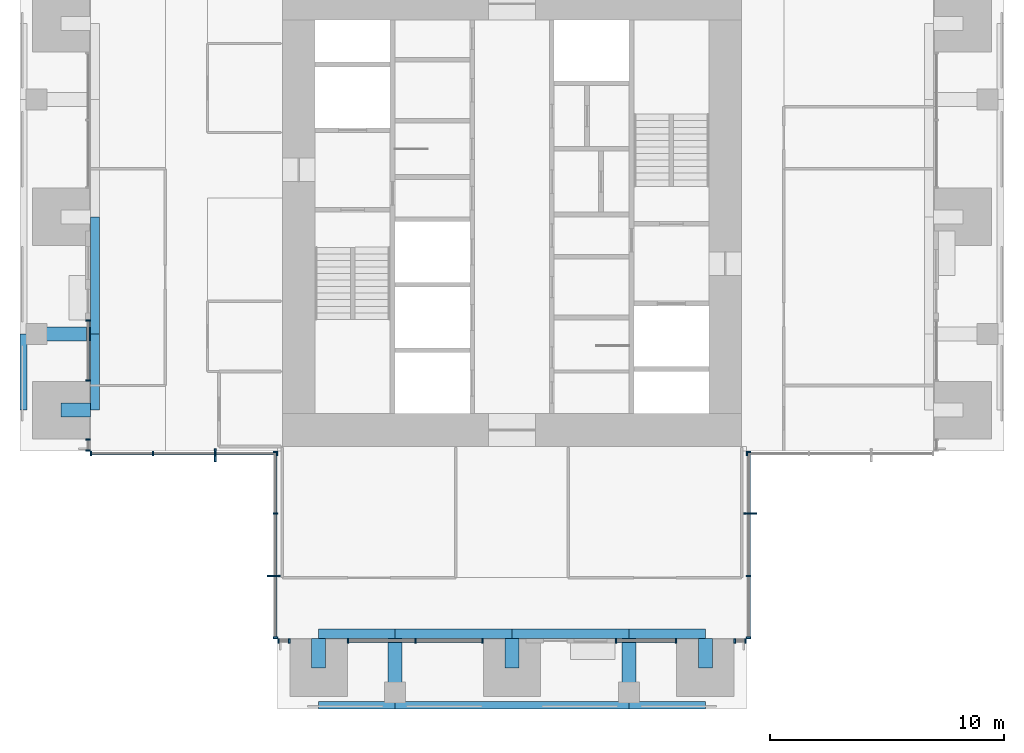
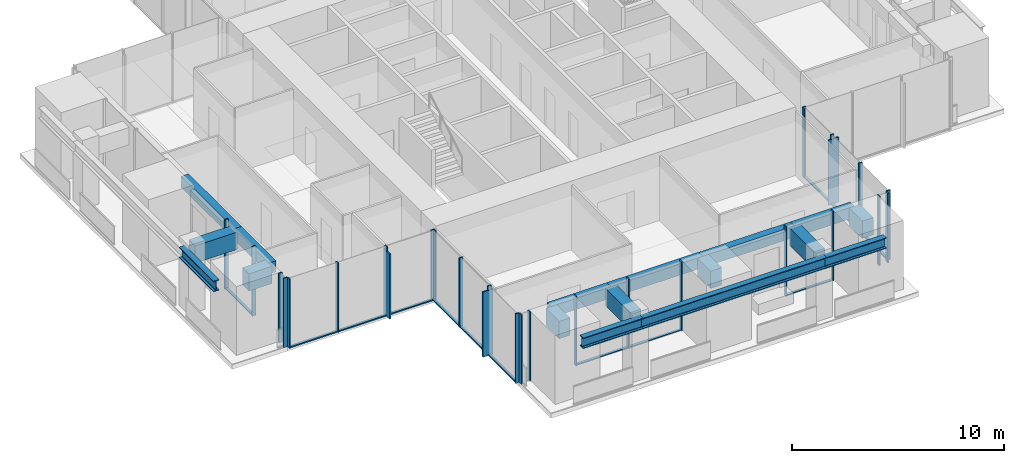
# One storey, part 2 of 17: 42 members, 17 beams, 10 elements without a shape of their own.
"""IFC4 building model written with IfcOpenShell, lengths in metres."""

from ifc_helpers import new_model, si_unit, direction, frame, origin, origin_2d, place, context, subcontext, project, spatial, rectangle, i_section, extrude, material, material_profile, profile_set, type_object, element, aggregate, save


model = new_model("IFC4")

# Units and contexts
model_context = context("Model", 3, precision=1e-05, world=origin(), true_north=direction((0.0, 1.0)))
body_context = subcontext(model_context, "Body", "Model", "MODEL_VIEW")
ifc_project = project(units=[si_unit("LENGTHUNIT", "METRE"), si_unit("AREAUNIT", "SQUARE_METRE"), si_unit("VOLUMEUNIT", "CUBIC_METRE"), si_unit("PLANEANGLEUNIT", "RADIAN"), si_unit("MASSUNIT", "GRAM", prefix="KILO")], contexts=[model_context])

# Site, building, storey
site_placement = place(None, origin())
site = spatial("IfcSite", under=ifc_project, at=site_placement, CompositionType="ELEMENT")
building_placement = place(site_placement, origin())
building = spatial("IfcBuilding", under=site, at=building_placement, Name="Svetlomir Tower", CompositionType="ELEMENT")
storey_placement = place(building_placement, frame((0.0, 0.0, 210.5)))
storey = spatial("IfcBuildingStorey", under=building, at=storey_placement, Name="L50", CompositionType="ELEMENT", Elevation=210.5)

# Curtain wall, member
ifc_material_1 = material(Name="Bronze anodised aluminium curtain wall", Category="aluminium")
curtain_wall_type = type_object("IfcCurtainWallType", Name="CURTAIN WALL CW1 TOWER OFFICE", PredefinedType="NOTDEFINED", material=ifc_material_1)
curtain_wall_1_placement = place(storey_placement, origin())
curtain_wall_1 = element("IfcCurtainWall", 1, at=curtain_wall_1_placement, inside=storey, type_object=curtain_wall_type, Name="Curtain wall CW1 L50", PredefinedType="NOTDEFINED")
ifc_material_2 = material(Name="Bronze anodised aluminium", Category="aluminium")
ifc_material_profile_1 = material_profile(ifc_material_2, rectangle(XDim=0.080078125, YDim=0.550048828125, at=origin_2d()), Name="FIN 80x550")
ifc_profile_set_1 = profile_set([ifc_material_profile_1], Name="Bronze anodised aluminium 6063-T6")
member_type_1 = type_object("IfcMemberType", Name="BRONZE FIN 80x550", PredefinedType="USERDEFINED", material=ifc_profile_set_1)
member_1_placement = place(storey_placement, frame((31.175048828125, 8.333251953125, 0.0), z_axis=(0.0, 0.0, 1.0), x_axis=(0.0, 1.0, 0.0)))
member_1 = element("IfcMember", 2, at=member_1_placement, type_object=member_type_1, Name="Bronze fin L50", ObjectType="FIN", PredefinedType="USERDEFINED", context=body_context, shape_type="SweptSolid", body=[
    extrude(rectangle(XDim=0.080078125, YDim=0.550048828125, at=origin_2d()), origin(), (0.0, 0.0, 1.0), 3.75),
])

curtain_wall_2_placement = place(storey_placement, origin())
curtain_wall_2 = element("IfcCurtainWall", 3, at=curtain_wall_2_placement, inside=storey, type_object=curtain_wall_type, Name="Curtain wall CW1 L50", PredefinedType="NOTDEFINED")
member_2_placement = place(storey_placement, frame((8.333251953125, 10.824951171875, 0.0), z_axis=(0.0, 0.0, 1.0), x_axis=(1.0, 0.0, 0.0)))
member_2 = element("IfcMember", 4, at=member_2_placement, type_object=member_type_1, Name="Bronze fin L50", ObjectType="FIN", PredefinedType="USERDEFINED", context=body_context, shape_type="SweptSolid", body=[
    extrude(rectangle(XDim=0.080078125, YDim=0.550048828125, at=origin_2d()), origin(), (0.0, 0.0, 1.0), 3.75),
])

curtain_wall_3_placement = place(storey_placement, origin())
curtain_wall_3 = element("IfcCurtainWall", 5, at=curtain_wall_3_placement, inside=storey, type_object=curtain_wall_type, Name="Curtain wall CW1 L50", PredefinedType="NOTDEFINED")
member_3_placement = place(storey_placement, frame((10.824951171875, 5.666748046875, 0.0), z_axis=(0.0, 0.0, 1.0), x_axis=(0.0, 1.0, 0.0)))
member_3 = element("IfcMember", 6, at=member_3_placement, type_object=member_type_1, Name="Bronze fin L50", ObjectType="FIN", PredefinedType="USERDEFINED", context=body_context, shape_type="SweptSolid", body=[
    extrude(rectangle(XDim=0.080078125, YDim=0.550048828125, at=origin_2d()), origin(), (0.0, 0.0, 1.0), 3.75),
])

# Curtain wall, members
curtain_wall_4_placement = place(storey_placement, origin())
curtain_wall_4 = element("IfcCurtainWall", 7, at=curtain_wall_4_placement, inside=storey, type_object=curtain_wall_type, Name="Curtain wall CW1 L50", PredefinedType="NOTDEFINED")
ifc_material_3 = material(Name="Bronze anodised aluminium", Category="aluminium")
ifc_material_profile_2 = material_profile(ifc_material_3, rectangle(XDim=0.06494140625, YDim=0.199951171875, at=origin_2d()), Name="AL 65x200")
ifc_profile_set_2 = profile_set([ifc_material_profile_2], Name="Bronze anodised aluminium 6063-T6")
member_type_2 = type_object("IfcMemberType", Name="CW1 MULLION 65x200", PredefinedType="MULLION", material=ifc_profile_set_2)
member_4_placement = place(storey_placement, frame((11.032470703125, 2.89990234375, 0.0), z_axis=(0.0, 0.0, 1.0), x_axis=(1.0, 0.0, 0.0)))
member_4 = element("IfcMember", 8, at=member_4_placement, type_object=member_type_2, Name="CW1 mullion 1", PredefinedType="MULLION", context=body_context, shape_type="SweptSolid", body=[
    extrude(rectangle(XDim=0.06494140625, YDim=0.199951171875, at=origin_2d()), origin(), (0.0, 0.0, 1.0), 4.0),
])
member_5_placement = place(storey_placement, frame((11.492431640625, 2.89990234375, 0.0), z_axis=(0.0, 0.0, 1.0), x_axis=(1.0, 0.0, 0.0)))
member_5 = element("IfcMember", 9, at=member_5_placement, type_object=member_type_2, Name="CW1 mullion 2", PredefinedType="MULLION", context=body_context, shape_type="SweptSolid", body=[
    extrude(rectangle(XDim=0.06494140625, YDim=0.199951171875, at=origin_2d()), origin(), (0.0, 0.0, 1.0), 4.0),
])
aggregate(curtain_wall_4, [member_4, member_5])

curtain_wall_5_placement = place(storey_placement, origin())
curtain_wall_5 = element("IfcCurtainWall", 10, at=curtain_wall_5_placement, inside=storey, type_object=curtain_wall_type, Name="Curtain wall CW1 L50", PredefinedType="NOTDEFINED")
member_6_placement = place(storey_placement, frame((14.007568359375, 2.89990234375, 0.0), z_axis=(0.0, 0.0, 1.0), x_axis=(1.0, 0.0, 0.0)))
member_6 = element("IfcMember", 11, at=member_6_placement, type_object=member_type_2, Name="CW1 mullion 1", PredefinedType="MULLION", context=body_context, shape_type="SweptSolid", body=[
    extrude(rectangle(XDim=0.06494140625, YDim=0.199951171875, at=origin_2d()), origin(), (0.0, 0.0, 1.0), 4.0),
])
member_7_placement = place(storey_placement, frame((16.875, 2.89990234375, 0.0), z_axis=(0.0, 0.0, 1.0), x_axis=(1.0, 0.0, 0.0)))
member_7 = element("IfcMember", 12, at=member_7_placement, type_object=member_type_2, Name="CW1 mullion 2", PredefinedType="MULLION", context=body_context, shape_type="SweptSolid", body=[
    extrude(rectangle(XDim=0.06494140625, YDim=0.199951171875, at=origin_2d()), origin(), (0.0, 0.0, 1.0), 4.0),
])
member_8_placement = place(storey_placement, frame((19.742431640625, 2.89990234375, 0.0), z_axis=(0.0, 0.0, 1.0), x_axis=(1.0, 0.0, 0.0)))
member_8 = element("IfcMember", 13, at=member_8_placement, type_object=member_type_2, Name="CW1 mullion 3", PredefinedType="MULLION", context=body_context, shape_type="SweptSolid", body=[
    extrude(rectangle(XDim=0.06494140625, YDim=0.199951171875, at=origin_2d()), origin(), (0.0, 0.0, 1.0), 4.0),
])

curtain_wall_6_placement = place(storey_placement, origin())
curtain_wall_6 = element("IfcCurtainWall", 14, at=curtain_wall_6_placement, inside=storey, type_object=curtain_wall_type, Name="Curtain wall CW1 L50", PredefinedType="NOTDEFINED")
member_9_placement = place(storey_placement, frame((25.4326171875, 2.89990234375, 0.0), z_axis=(0.0, 0.0, 1.0), x_axis=(1.0, 0.0, 0.0)))
member_9 = element("IfcMember", 15, at=member_9_placement, type_object=member_type_2, Name="CW1 mullion 1", PredefinedType="MULLION", context=body_context, shape_type="SweptSolid", body=[
    extrude(rectangle(XDim=0.06494140625, YDim=0.199951171875, at=origin_2d()), origin(), (0.0, 0.0, 1.0), 4.0),
])
member_10_placement = place(storey_placement, frame((27.992431640625, 2.89990234375, 0.0), z_axis=(0.0, 0.0, 1.0), x_axis=(1.0, 0.0, 0.0)))
member_10 = element("IfcMember", 16, at=member_10_placement, type_object=member_type_2, Name="CW1 mullion 2", PredefinedType="MULLION", context=body_context, shape_type="SweptSolid", body=[
    extrude(rectangle(XDim=0.06494140625, YDim=0.199951171875, at=origin_2d()), origin(), (0.0, 0.0, 1.0), 4.0),
])

curtain_wall_7_placement = place(storey_placement, origin())
curtain_wall_7 = element("IfcCurtainWall", 17, at=curtain_wall_7_placement, inside=storey, type_object=curtain_wall_type, Name="Curtain wall CW1 L50", PredefinedType="NOTDEFINED")
member_11_placement = place(storey_placement, frame((30.507568359375, 2.89990234375, 0.0), z_axis=(0.0, 0.0, 1.0), x_axis=(1.0, 0.0, 0.0)))
member_11 = element("IfcMember", 18, at=member_11_placement, type_object=member_type_2, Name="CW1 mullion 1", PredefinedType="MULLION", context=body_context, shape_type="SweptSolid", body=[
    extrude(rectangle(XDim=0.06494140625, YDim=0.199951171875, at=origin_2d()), origin(), (0.0, 0.0, 1.0), 4.0),
])
member_12_placement = place(storey_placement, frame((30.967529296875, 2.89990234375, 0.0), z_axis=(0.0, 0.0, 1.0), x_axis=(1.0, 0.0, 0.0)))
member_12 = element("IfcMember", 19, at=member_12_placement, type_object=member_type_2, Name="CW1 mullion 2", PredefinedType="MULLION", context=body_context, shape_type="SweptSolid", body=[
    extrude(rectangle(XDim=0.06494140625, YDim=0.199951171875, at=origin_2d()), origin(), (0.0, 0.0, 1.0), 4.0),
])
aggregate(curtain_wall_7, [member_11, member_12])

# Member
member_13_placement = place(storey_placement, frame((31.10009765625, 3.032470703125, 0.0), z_axis=(0.0, 0.0, 1.0), x_axis=(0.0, 1.0, 0.0)))
member_13 = element("IfcMember", 20, at=member_13_placement, type_object=member_type_2, Name="CW1 mullion 1", PredefinedType="MULLION", context=body_context, shape_type="SweptSolid", body=[
    extrude(rectangle(XDim=0.06494140625, YDim=0.199951171875, at=origin_2d()), origin(), (0.0, 0.0, 1.0), 4.0),
])

member_14_placement = place(storey_placement, frame((31.10009765625, 5.666748046875, 0.0), z_axis=(0.0, 0.0, 1.0), x_axis=(0.0, 1.0, 0.0)))
member_14 = element("IfcMember", 21, at=member_14_placement, type_object=member_type_2, Name="CW1 mullion 2", PredefinedType="MULLION", context=body_context, shape_type="SweptSolid", body=[
    extrude(rectangle(XDim=0.06494140625, YDim=0.199951171875, at=origin_2d()), origin(), (0.0, 0.0, 1.0), 4.0),
])

member_15_placement = place(storey_placement, frame((31.10009765625, 8.333251953125, 0.0), z_axis=(0.0, 0.0, 1.0), x_axis=(0.0, 1.0, 0.0)))
member_15 = element("IfcMember", 22, at=member_15_placement, type_object=member_type_2, Name="CW1 mullion 3", PredefinedType="MULLION", context=body_context, shape_type="SweptSolid", body=[
    extrude(rectangle(XDim=0.06494140625, YDim=0.199951171875, at=origin_2d()), origin(), (0.0, 0.0, 1.0), 4.0),
])

member_16_placement = place(storey_placement, frame((31.10009765625, 10.967529296875, 0.0), z_axis=(0.0, 0.0, 1.0), x_axis=(0.0, 1.0, 0.0)))
member_16 = element("IfcMember", 23, at=member_16_placement, type_object=member_type_2, Name="CW1 mullion 4", PredefinedType="MULLION", context=body_context, shape_type="SweptSolid", body=[
    extrude(rectangle(XDim=0.06494140625, YDim=0.199951171875, at=origin_2d()), origin(), (0.0, 0.0, 1.0), 4.0),
])

# Curtain wall, member
curtain_wall_8_placement = place(storey_placement, origin())
curtain_wall_8 = element("IfcCurtainWall", 24, at=curtain_wall_8_placement, inside=storey, type_object=curtain_wall_type, Name="Curtain wall CW1 L50", PredefinedType="NOTDEFINED")
member_17_placement = place(storey_placement, frame((31.032470703125, 10.89990234375, 0.0), z_axis=(0.0, 0.0, 1.0), x_axis=(1.0, 0.0, 0.0)))
member_17 = element("IfcMember", 25, at=member_17_placement, type_object=member_type_2, Name="CW1 mullion 1", PredefinedType="MULLION", context=body_context, shape_type="SweptSolid", body=[
    extrude(rectangle(XDim=0.06494140625, YDim=0.199951171875, at=origin_2d()), origin(), (0.0, 0.0, 1.0), 4.0),
])
aggregate(curtain_wall_8, [member_17])

# Curtain wall, members
curtain_wall_9_placement = place(storey_placement, origin())
curtain_wall_9 = element("IfcCurtainWall", 26, at=curtain_wall_9_placement, inside=storey, type_object=curtain_wall_type, Name="Curtain wall CW1 L50", PredefinedType="NOTDEFINED")
member_18_placement = place(storey_placement, frame((2.89990234375, 16.5673828125, 0.0), z_axis=(0.0, 0.0, 1.0), x_axis=(0.0, -1.0, 0.0)))
member_18 = element("IfcMember", 27, at=member_18_placement, type_object=member_type_2, Name="CW1 mullion 1", PredefinedType="MULLION", context=body_context, shape_type="SweptSolid", body=[
    extrude(rectangle(XDim=0.06494140625, YDim=0.199951171875, at=origin_2d()), origin(), (0.0, 0.0, 1.0), 4.0),
])
member_19_placement = place(storey_placement, frame((2.89990234375, 14.007568359375, 0.0), z_axis=(0.0, 0.0, 1.0), x_axis=(0.0, -1.0, 0.0)))
member_19 = element("IfcMember", 28, at=member_19_placement, type_object=member_type_2, Name="CW1 mullion 2", PredefinedType="MULLION", context=body_context, shape_type="SweptSolid", body=[
    extrude(rectangle(XDim=0.06494140625, YDim=0.199951171875, at=origin_2d()), origin(), (0.0, 0.0, 1.0), 4.0),
])

curtain_wall_10_placement = place(storey_placement, origin())
curtain_wall_10 = element("IfcCurtainWall", 29, at=curtain_wall_10_placement, inside=storey, type_object=curtain_wall_type, Name="Curtain wall CW1 L50", PredefinedType="NOTDEFINED")
member_20_placement = place(storey_placement, frame((2.89990234375, 11.492431640625, 0.0), z_axis=(0.0, 0.0, 1.0), x_axis=(0.0, -1.0, 0.0)))
member_20 = element("IfcMember", 30, at=member_20_placement, type_object=member_type_2, Name="CW1 mullion 1", PredefinedType="MULLION", context=body_context, shape_type="SweptSolid", body=[
    extrude(rectangle(XDim=0.06494140625, YDim=0.199951171875, at=origin_2d()), origin(), (0.0, 0.0, 1.0), 4.0),
])
member_21_placement = place(storey_placement, frame((2.89990234375, 11.032470703125, 0.0), z_axis=(0.0, 0.0, 1.0), x_axis=(0.0, -1.0, 0.0)))
member_21 = element("IfcMember", 31, at=member_21_placement, type_object=member_type_2, Name="CW1 mullion 2", PredefinedType="MULLION", context=body_context, shape_type="SweptSolid", body=[
    extrude(rectangle(XDim=0.06494140625, YDim=0.199951171875, at=origin_2d()), origin(), (0.0, 0.0, 1.0), 4.0),
])
aggregate(curtain_wall_10, [member_20, member_21])

# Member
member_22_placement = place(storey_placement, frame((3.032470703125, 10.89990234375, 0.0), z_axis=(0.0, 0.0, 1.0), x_axis=(1.0, 0.0, 0.0)))
member_22 = element("IfcMember", 32, at=member_22_placement, type_object=member_type_2, Name="CW1 mullion 1", PredefinedType="MULLION", context=body_context, shape_type="SweptSolid", body=[
    extrude(rectangle(XDim=0.06494140625, YDim=0.199951171875, at=origin_2d()), origin(), (0.0, 0.0, 1.0), 4.0),
])

member_23_placement = place(storey_placement, frame((5.666748046875, 10.89990234375, 0.0), z_axis=(0.0, 0.0, 1.0), x_axis=(1.0, 0.0, 0.0)))
member_23 = element("IfcMember", 33, at=member_23_placement, type_object=member_type_2, Name="CW1 mullion 2", PredefinedType="MULLION", context=body_context, shape_type="SweptSolid", body=[
    extrude(rectangle(XDim=0.06494140625, YDim=0.199951171875, at=origin_2d()), origin(), (0.0, 0.0, 1.0), 4.0),
])

member_24_placement = place(storey_placement, frame((8.333251953125, 10.89990234375, 0.0), z_axis=(0.0, 0.0, 1.0), x_axis=(1.0, 0.0, 0.0)))
member_24 = element("IfcMember", 34, at=member_24_placement, type_object=member_type_2, Name="CW1 mullion 3", PredefinedType="MULLION", context=body_context, shape_type="SweptSolid", body=[
    extrude(rectangle(XDim=0.06494140625, YDim=0.199951171875, at=origin_2d()), origin(), (0.0, 0.0, 1.0), 4.0),
])

member_25_placement = place(storey_placement, frame((10.967529296875, 10.89990234375, 0.0), z_axis=(0.0, 0.0, 1.0), x_axis=(1.0, 0.0, 0.0)))
member_25 = element("IfcMember", 35, at=member_25_placement, type_object=member_type_2, Name="CW1 mullion 4", PredefinedType="MULLION", context=body_context, shape_type="SweptSolid", body=[
    extrude(rectangle(XDim=0.06494140625, YDim=0.199951171875, at=origin_2d()), origin(), (0.0, 0.0, 1.0), 4.0),
])

member_26_placement = place(storey_placement, frame((10.89990234375, 10.967529296875, 0.0), z_axis=(0.0, 0.0, 1.0), x_axis=(0.0, -1.0, 0.0)))
member_26 = element("IfcMember", 36, at=member_26_placement, type_object=member_type_2, Name="CW1 mullion 1", PredefinedType="MULLION", context=body_context, shape_type="SweptSolid", body=[
    extrude(rectangle(XDim=0.06494140625, YDim=0.199951171875, at=origin_2d()), origin(), (0.0, 0.0, 1.0), 4.0),
])

member_27_placement = place(storey_placement, frame((10.89990234375, 8.333251953125, 0.0), z_axis=(0.0, 0.0, 1.0), x_axis=(0.0, -1.0, 0.0)))
member_27 = element("IfcMember", 37, at=member_27_placement, type_object=member_type_2, Name="CW1 mullion 2", PredefinedType="MULLION", context=body_context, shape_type="SweptSolid", body=[
    extrude(rectangle(XDim=0.06494140625, YDim=0.199951171875, at=origin_2d()), origin(), (0.0, 0.0, 1.0), 4.0),
])

member_28_placement = place(storey_placement, frame((10.89990234375, 5.666748046875, 0.0), z_axis=(0.0, 0.0, 1.0), x_axis=(0.0, -1.0, 0.0)))
member_28 = element("IfcMember", 38, at=member_28_placement, type_object=member_type_2, Name="CW1 mullion 3", PredefinedType="MULLION", context=body_context, shape_type="SweptSolid", body=[
    extrude(rectangle(XDim=0.06494140625, YDim=0.199951171875, at=origin_2d()), origin(), (0.0, 0.0, 1.0), 4.0),
])

member_29_placement = place(storey_placement, frame((10.89990234375, 3.032470703125, 0.0), z_axis=(0.0, 0.0, 1.0), x_axis=(0.0, -1.0, 0.0)))
member_29 = element("IfcMember", 39, at=member_29_placement, type_object=member_type_2, Name="CW1 mullion 4", PredefinedType="MULLION", context=body_context, shape_type="SweptSolid", body=[
    extrude(rectangle(XDim=0.06494140625, YDim=0.199951171875, at=origin_2d()), origin(), (0.0, 0.0, 1.0), 4.0),
])

ifc_material_4 = material(Name="Bronze anodised aluminium", Category="aluminium")
ifc_material_profile_3 = material_profile(ifc_material_4, rectangle(XDim=0.139892578125, YDim=0.06494140625, at=origin_2d()), Name="AL 140x65")
ifc_profile_set_3 = profile_set([ifc_material_profile_3], Name="Bronze anodised aluminium 6063-T6")
member_type_3 = type_object("IfcMemberType", Name="CW1 TRANSOM 65x140", PredefinedType="USERDEFINED", material=ifc_profile_set_3)
member_30_placement = place(storey_placement, frame((14.0400390625, 2.89990234375, 0.032470703125), z_axis=(1.0, 0.0, 0.0), x_axis=(0.0, 1.0, 0.0)))
member_30 = element("IfcMember", 40, at=member_30_placement, type_object=member_type_3, Name="CW1 transom 1.1", ObjectType="TRANSOM", PredefinedType="USERDEFINED", context=body_context, shape_type="SweptSolid", body=[
    extrude(rectangle(XDim=0.139892578125, YDim=0.06494140625, at=origin_2d()), origin(), (0.0, 0.0, 1.0), 2.802490234375),
])

member_31_placement = place(storey_placement, frame((16.907470703125, 2.89990234375, 0.032470703125), z_axis=(1.0, 0.0, 0.0), x_axis=(0.0, 1.0, 0.0)))
member_31 = element("IfcMember", 41, at=member_31_placement, type_object=member_type_3, Name="CW1 transom 2.1", ObjectType="TRANSOM", PredefinedType="USERDEFINED", context=body_context, shape_type="SweptSolid", body=[
    extrude(rectangle(XDim=0.139892578125, YDim=0.06494140625, at=origin_2d()), origin(), (0.0, 0.0, 1.0), 2.802490234375),
])

aggregate(curtain_wall_5, [member_6, member_7, member_8, member_30, member_31])

member_32_placement = place(storey_placement, frame((25.465087890625, 2.89990234375, 0.032470703125), z_axis=(1.0, 0.0, 0.0), x_axis=(0.0, 1.0, 0.0)))
member_32 = element("IfcMember", 42, at=member_32_placement, type_object=member_type_3, Name="CW1 transom 1.1", ObjectType="TRANSOM", PredefinedType="USERDEFINED", context=body_context, shape_type="SweptSolid", body=[
    extrude(rectangle(XDim=0.139892578125, YDim=0.06494140625, at=origin_2d()), origin(), (0.0, 0.0, 1.0), 2.494873046875),
])

aggregate(curtain_wall_6, [member_9, member_10, member_32])

member_33_placement = place(storey_placement, frame((31.10009765625, 3.06494140625, 0.032470703125), z_axis=(0.0, 1.0, 0.0), x_axis=(-1.0, 0.0, 0.0)))
member_33 = element("IfcMember", 43, at=member_33_placement, type_object=member_type_3, Name="CW1 transom 1.1", ObjectType="TRANSOM", PredefinedType="USERDEFINED", context=body_context, shape_type="SweptSolid", body=[
    extrude(rectangle(XDim=0.139892578125, YDim=0.06494140625, at=origin_2d()), origin(), (0.0, 0.0, 1.0), 2.5693359375),
])

member_34_placement = place(storey_placement, frame((31.10009765625, 5.69921875, 0.032470703125), z_axis=(0.0, 1.0, 0.0), x_axis=(-1.0, 0.0, 0.0)))
member_34 = element("IfcMember", 44, at=member_34_placement, type_object=member_type_3, Name="CW1 transom 2.1", ObjectType="TRANSOM", PredefinedType="USERDEFINED", context=body_context, shape_type="SweptSolid", body=[
    extrude(rectangle(XDim=0.139892578125, YDim=0.06494140625, at=origin_2d()), origin(), (0.0, 0.0, 1.0), 2.6015625),
])

member_35_placement = place(storey_placement, frame((31.10009765625, 8.36572265625, 0.032470703125), z_axis=(0.0, 1.0, 0.0), x_axis=(-1.0, 0.0, 0.0)))
member_35 = element("IfcMember", 45, at=member_35_placement, type_object=member_type_3, Name="CW1 transom 3.1", ObjectType="TRANSOM", PredefinedType="USERDEFINED", context=body_context, shape_type="SweptSolid", body=[
    extrude(rectangle(XDim=0.139892578125, YDim=0.06494140625, at=origin_2d()), origin(), (0.0, 0.0, 1.0), 2.5693359375),
])

aggregate(curtain_wall_1, [member_13, member_14, member_15, member_16, member_33, member_34, member_35, member_1])

member_36_placement = place(storey_placement, frame((2.89990234375, 16.534912109375, 0.032470703125), z_axis=(0.0, -1.0, 0.0), x_axis=(1.0, 0.0, 0.0)))
member_36 = element("IfcMember", 46, at=member_36_placement, type_object=member_type_3, Name="CW1 transom 1.1", ObjectType="TRANSOM", PredefinedType="USERDEFINED", context=body_context, shape_type="SweptSolid", body=[
    extrude(rectangle(XDim=0.139892578125, YDim=0.06494140625, at=origin_2d()), origin(), (0.0, 0.0, 1.0), 2.494873046875),
])

aggregate(curtain_wall_9, [member_18, member_19, member_36])

member_37_placement = place(storey_placement, frame((3.06494140625, 10.89990234375, 0.032470703125), z_axis=(1.0, 0.0, 0.0), x_axis=(0.0, 1.0, 0.0)))
member_37 = element("IfcMember", 47, at=member_37_placement, type_object=member_type_3, Name="CW1 transom 1.1", ObjectType="TRANSOM", PredefinedType="USERDEFINED", context=body_context, shape_type="SweptSolid", body=[
    extrude(rectangle(XDim=0.139892578125, YDim=0.06494140625, at=origin_2d()), origin(), (0.0, 0.0, 1.0), 2.5693359375),
])

member_38_placement = place(storey_placement, frame((5.69921875, 10.89990234375, 0.032470703125), z_axis=(1.0, 0.0, 0.0), x_axis=(0.0, 1.0, 0.0)))
member_38 = element("IfcMember", 48, at=member_38_placement, type_object=member_type_3, Name="CW1 transom 2.1", ObjectType="TRANSOM", PredefinedType="USERDEFINED", context=body_context, shape_type="SweptSolid", body=[
    extrude(rectangle(XDim=0.139892578125, YDim=0.06494140625, at=origin_2d()), origin(), (0.0, 0.0, 1.0), 2.6015625),
])

member_39_placement = place(storey_placement, frame((8.36572265625, 10.89990234375, 0.032470703125), z_axis=(1.0, 0.0, 0.0), x_axis=(0.0, 1.0, 0.0)))
member_39 = element("IfcMember", 49, at=member_39_placement, type_object=member_type_3, Name="CW1 transom 3.1", ObjectType="TRANSOM", PredefinedType="USERDEFINED", context=body_context, shape_type="SweptSolid", body=[
    extrude(rectangle(XDim=0.139892578125, YDim=0.06494140625, at=origin_2d()), origin(), (0.0, 0.0, 1.0), 2.5693359375),
])

aggregate(curtain_wall_2, [member_22, member_23, member_24, member_25, member_37, member_38, member_39, member_2])

member_40_placement = place(storey_placement, frame((10.89990234375, 10.93505859375, 0.032470703125), z_axis=(0.0, -1.0, 0.0), x_axis=(1.0, 0.0, 0.0)))
member_40 = element("IfcMember", 50, at=member_40_placement, type_object=member_type_3, Name="CW1 transom 1.1", ObjectType="TRANSOM", PredefinedType="USERDEFINED", context=body_context, shape_type="SweptSolid", body=[
    extrude(rectangle(XDim=0.139892578125, YDim=0.06494140625, at=origin_2d()), origin(), (0.0, 0.0, 1.0), 2.5693359375),
])

member_41_placement = place(storey_placement, frame((10.89990234375, 8.30078125, 0.032470703125), z_axis=(0.0, -1.0, 0.0), x_axis=(1.0, 0.0, 0.0)))
member_41 = element("IfcMember", 51, at=member_41_placement, type_object=member_type_3, Name="CW1 transom 2.1", ObjectType="TRANSOM", PredefinedType="USERDEFINED", context=body_context, shape_type="SweptSolid", body=[
    extrude(rectangle(XDim=0.139892578125, YDim=0.06494140625, at=origin_2d()), origin(), (0.0, 0.0, 1.0), 2.6015625),
])

member_42_placement = place(storey_placement, frame((10.89990234375, 5.63427734375, 0.032470703125), z_axis=(0.0, -1.0, 0.0), x_axis=(1.0, 0.0, 0.0)))
member_42 = element("IfcMember", 52, at=member_42_placement, type_object=member_type_3, Name="CW1 transom 3.1", ObjectType="TRANSOM", PredefinedType="USERDEFINED", context=body_context, shape_type="SweptSolid", body=[
    extrude(rectangle(XDim=0.139892578125, YDim=0.06494140625, at=origin_2d()), origin(), (0.0, 0.0, 1.0), 2.5693359375),
])

aggregate(curtain_wall_3, [member_26, member_27, member_28, member_29, member_40, member_41, member_42, member_3])

# Beams
ifc_material_5 = material(Name="Steel S355", Category="steel")
ifc_material_profile_4 = material_profile(ifc_material_5, i_section(OverallWidth=0.304931640625, OverallDepth=0.6201171875, WebThickness=0.02099609375, FlangeThickness=0.0400390625, FilletRadius=0.027099609375, at=origin_2d()), Name="HEM 600")
ifc_profile_set_4 = profile_set([ifc_material_profile_4], Name="Steel S355")
beam_type_1 = type_object("IfcBeamType", Name="EDGE BEAM HEM 600", PredefinedType="SPANDREL", material=ifc_profile_set_4)
for number, where, z_axis, x_axis, name in (
    (53, (12.75, 0.152587890625, 3.43994140625), (1.0, 0.0, 0.0), (0.0, 1.0, 0.0), "Edge beam 11/0 to 16/0 under L51"),
    (54, (0.152587890625, 12.75, 3.43994140625), (0.0, 1.0, 0.0), (-1.0, 0.0, 0.0), "Edge beam 0/11 to 0/16 under L51"),
):
    element("IfcBeam", number, at=place(storey_placement, frame(where, z_axis=z_axis, x_axis=x_axis)), inside=storey, type_object=beam_type_1, Name=name, PredefinedType="SPANDREL", context=body_context, shape_type="SweptSolid", body=[
        extrude(i_section(OverallWidth=0.304931640625, OverallDepth=0.6201171875, WebThickness=0.02099609375, FlangeThickness=0.0400390625, FilletRadius=0.027099609375, at=origin_2d()), origin(), (0.0, 0.0, 1.0), 3.25),
    ])
beam_1_placement = place(storey_placement, frame((16.0, 0.152587890625, 3.43994140625), z_axis=(1.0, 0.0, 0.0), x_axis=(0.0, 1.0, 0.0)))
element("IfcBeam", 55, at=beam_1_placement, inside=storey, type_object=beam_type_1, Name="Edge beam 16/0 to 26/0 under L51", PredefinedType="SPANDREL", context=body_context, shape_type="SweptSolid", body=[
    extrude(i_section(OverallWidth=0.304931640625, OverallDepth=0.6201171875, WebThickness=0.02099609375, FlangeThickness=0.0400390625, FilletRadius=0.027099609375, at=origin_2d()), origin(), (0.0, 0.0, 1.0), 10.0),
])
beam_2_placement = place(storey_placement, frame((26.0, 0.152587890625, 3.43994140625), z_axis=(1.0, 0.0, 0.0), x_axis=(0.0, 1.0, 0.0)))
element("IfcBeam", 56, at=beam_2_placement, inside=storey, type_object=beam_type_1, Name="Edge beam 26/0 to 31/0 under L51", PredefinedType="SPANDREL", context=body_context, shape_type="SweptSolid", body=[
    extrude(i_section(OverallWidth=0.304931640625, OverallDepth=0.6201171875, WebThickness=0.02099609375, FlangeThickness=0.0400390625, FilletRadius=0.027099609375, at=origin_2d()), origin(), (0.0, 0.0, 1.0), 3.25),
])
ifc_material_6 = material(Name="Concrete C60/75", Category="concrete")
ifc_material_profile_5 = material_profile(ifc_material_6, rectangle(XDim=0.39990234375, YDim=0.64990234375, at=origin_2d()), Name="RC 400x650")
ifc_profile_set_5 = profile_set([ifc_material_profile_5], Name="Concrete C60/75")
beam_type_2 = type_object("IfcBeamType", Name="FACADE EDGE BEAM RC 400x650", PredefinedType="BEAM", material=ifc_profile_set_5)
beam_3_placement = place(storey_placement, frame((12.75, 3.199951171875, 3.425048828125), z_axis=(1.0, 0.0, 0.0), x_axis=(0.0, 1.0, 0.0)))
element("IfcBeam", 57, at=beam_3_placement, inside=storey, type_object=beam_type_2, Name="Facade edge beam S 11 to 16 under L51", PredefinedType="BEAM", context=body_context, shape_type="SweptSolid", body=[
    extrude(rectangle(XDim=0.39990234375, YDim=0.64990234375, at=origin_2d()), origin(), (0.0, 0.0, 1.0), 3.25),
])
for number, where, z_axis, x_axis, name in (
    (58, (16.0, 3.199951171875, 3.425048828125), (1.0, 0.0, 0.0), (0.0, 1.0, 0.0), "Facade edge beam S 16 to 21 under L51"),
    (59, (21.0, 3.199951171875, 3.425048828125), (1.0, 0.0, 0.0), (0.0, 1.0, 0.0), "Facade edge beam S 21 to 26 under L51"),
):
    element("IfcBeam", number, at=place(storey_placement, frame(where, z_axis=z_axis, x_axis=x_axis)), inside=storey, type_object=beam_type_2, Name=name, PredefinedType="BEAM", context=body_context, shape_type="SweptSolid", body=[
        extrude(rectangle(XDim=0.39990234375, YDim=0.64990234375, at=origin_2d()), origin(), (0.0, 0.0, 1.0), 5.0),
    ])
for number, where, z_axis, x_axis, name in (
    (60, (26.0, 3.199951171875, 3.425048828125), (1.0, 0.0, 0.0), (0.0, 1.0, 0.0), "Facade edge beam S 26 to 31 under L51"),
    (61, (3.199951171875, 12.75, 3.425048828125), (0.0, 1.0, 0.0), (-1.0, 0.0, 0.0), "Facade edge beam W 11 to 16 under L51"),
):
    element("IfcBeam", number, at=place(storey_placement, frame(where, z_axis=z_axis, x_axis=x_axis)), inside=storey, type_object=beam_type_2, Name=name, PredefinedType="BEAM", context=body_context, shape_type="SweptSolid", body=[
        extrude(rectangle(XDim=0.39990234375, YDim=0.64990234375, at=origin_2d()), origin(), (0.0, 0.0, 1.0), 3.25),
    ])
beam_4_placement = place(storey_placement, frame((3.199951171875, 16.0, 3.425048828125), z_axis=(0.0, 1.0, 0.0), x_axis=(-1.0, 0.0, 0.0)))
element("IfcBeam", 62, at=beam_4_placement, inside=storey, type_object=beam_type_2, Name="Facade edge beam W 16 to 21 under L51", PredefinedType="BEAM", context=body_context, shape_type="SweptSolid", body=[
    extrude(rectangle(XDim=0.39990234375, YDim=0.64990234375, at=origin_2d()), origin(), (0.0, 0.0, 1.0), 5.0),
])
ifc_material_7 = material(Name="Concrete C60/75", Category="concrete")
ifc_material_profile_6 = material_profile(ifc_material_7, rectangle(XDim=0.60009765625, YDim=1.0, at=origin_2d()), Name="RC 600x1000")
ifc_profile_set_6 = profile_set([ifc_material_profile_6], Name="Concrete C60/75")
beam_type_3 = type_object("IfcBeamType", Name="LOGGIA LINK BEAM RC 600x1000", PredefinedType="BEAM", material=ifc_profile_set_6)
beam_5_placement = place(storey_placement, frame((12.75, 1.75, 3.25), z_axis=(0.0, 1.0, 0.0), x_axis=(-1.0, 0.0, 0.0)))
element("IfcBeam", 63, at=beam_5_placement, inside=storey, type_object=beam_type_3, Name="Loggia link beam S 11 under L51", PredefinedType="BEAM", context=body_context, shape_type="SweptSolid", body=[
    extrude(rectangle(XDim=0.60009765625, YDim=1.0, at=origin_2d()), origin(), (0.0, 0.0, 1.0), 1.25),
])
beam_6_placement = place(storey_placement, frame((16.0, 0.699951171875, 3.25), z_axis=(0.0, 1.0, 0.0), x_axis=(-1.0, 0.0, 0.0)))
element("IfcBeam", 64, at=beam_6_placement, inside=storey, type_object=beam_type_3, Name="Loggia link beam S 16 under L51", PredefinedType="BEAM", context=body_context, shape_type="SweptSolid", body=[
    extrude(rectangle(XDim=0.60009765625, YDim=1.0, at=origin_2d()), origin(), (0.0, 0.0, 1.0), 2.300048828125),
])
beam_7_placement = place(storey_placement, frame((21.0, 1.75, 3.25), z_axis=(0.0, 1.0, 0.0), x_axis=(-1.0, 0.0, 0.0)))
element("IfcBeam", 65, at=beam_7_placement, inside=storey, type_object=beam_type_3, Name="Loggia link beam S 21 under L51", PredefinedType="BEAM", context=body_context, shape_type="SweptSolid", body=[
    extrude(rectangle(XDim=0.60009765625, YDim=1.0, at=origin_2d()), origin(), (0.0, 0.0, 1.0), 1.25),
])
beam_8_placement = place(storey_placement, frame((26.0, 0.699951171875, 3.25), z_axis=(0.0, 1.0, 0.0), x_axis=(-1.0, 0.0, 0.0)))
element("IfcBeam", 66, at=beam_8_placement, inside=storey, type_object=beam_type_3, Name="Loggia link beam S 26 under L51", PredefinedType="BEAM", context=body_context, shape_type="SweptSolid", body=[
    extrude(rectangle(XDim=0.60009765625, YDim=1.0, at=origin_2d()), origin(), (0.0, 0.0, 1.0), 2.300048828125),
])
for number, where, z_axis, x_axis, name in (
    (67, (29.25, 1.75, 3.25), (0.0, 1.0, 0.0), (-1.0, 0.0, 0.0), "Loggia link beam S 31 under L51"),
    (68, (1.75, 12.75, 3.25), (1.0, 0.0, 0.0), (0.0, 1.0, 0.0), "Loggia link beam W 11 under L51"),
):
    element("IfcBeam", number, at=place(storey_placement, frame(where, z_axis=z_axis, x_axis=x_axis)), inside=storey, type_object=beam_type_3, Name=name, PredefinedType="BEAM", context=body_context, shape_type="SweptSolid", body=[
        extrude(rectangle(XDim=0.60009765625, YDim=1.0, at=origin_2d()), origin(), (0.0, 0.0, 1.0), 1.25),
    ])
beam_9_placement = place(storey_placement, frame((0.699951171875, 16.0, 3.25), z_axis=(1.0, 0.0, 0.0), x_axis=(0.0, 1.0, 0.0)))
element("IfcBeam", 69, at=beam_9_placement, inside=storey, type_object=beam_type_3, Name="Loggia link beam W 16 under L51", PredefinedType="BEAM", context=body_context, shape_type="SweptSolid", body=[
    extrude(rectangle(XDim=0.60009765625, YDim=1.0, at=origin_2d()), origin(), (0.0, 0.0, 1.0), 2.300048828125),
])

save(model, "model.ifc")
